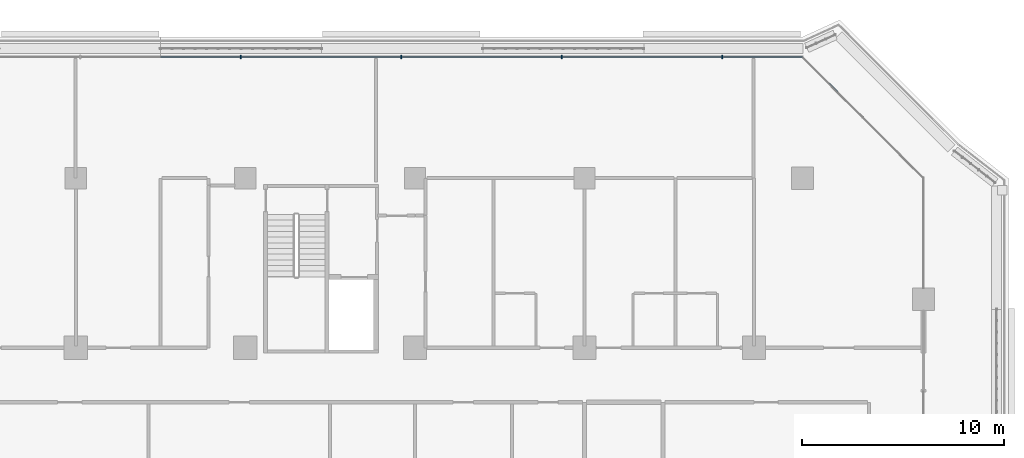
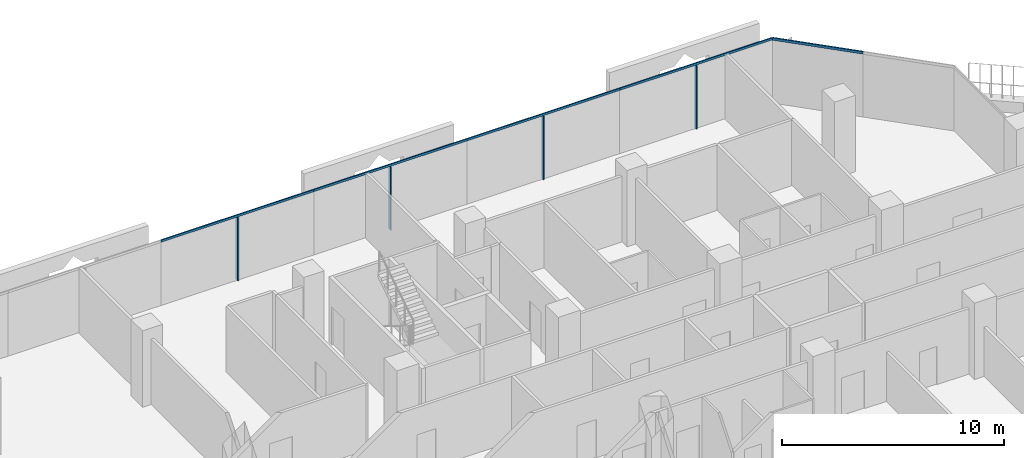
# One storey, part 9 of 25: 9 members, 2 elements without a shape of their own.
"""IFC4 building model written with IfcOpenShell, lengths in metres."""

import ifcopenshell
import ifcopenshell.guid

model = None  # the IFC model being written
_history = None  # IfcOwnerHistory: only IFC2X3 demands one
_inside = {}  # id of a spatial element -> (the spatial element, [elements in it])
_under = {}  # id of a project, library or spatial element -> (it, [spatial elements below it])
_declared = {}  # id of a project -> (the project, [libraries it declares])
_typed = {}  # id of a type object -> (the type object, [elements of that type])
_made_of = {}  # id of a material, layer set ... -> (it, [elements and type objects made of it])


def new_model(schema):
    """Start an empty IFC model of exactly this schema.

    Asked for "IFC4X3", IfcOpenShell would pick the latest addendum, in which some entities
    have other attributes; the version numbers below select the first issue.
    IFC2X3 requires an IfcOwnerHistory on every rooted entity: one is made here for all.
    """
    global model, _history
    if schema == "IFC4X3":
        model = ifcopenshell.file(schema_version=(4, 3, 0, 0))
    else:
        model = ifcopenshell.file(schema=schema)
    _inside.clear()
    _under.clear()
    _declared.clear()
    _typed.clear()
    _made_of.clear()
    _history = None
    if model.schema == "IFC2X3":
        org = make("IfcOrganization", Name="unknown")
        user = make(
            "IfcPersonAndOrganization",
            ThePerson=make("IfcPerson", FamilyName="unknown"),
            TheOrganization=org,
        )
        app = make(
            "IfcApplication",
            ApplicationDeveloper=org,
            Version="unknown",
            ApplicationFullName="unknown",
            ApplicationIdentifier="unknown",
        )
        _history = make(
            "IfcOwnerHistory",
            OwningUser=user,
            OwningApplication=app,
            ChangeAction="ADDED",
            CreationDate=0,
        )
    return model


def make(cls, **values):
    """One entity of the class cls with the attributes given. An attribute that is None is left unset."""
    return model.create_entity(
        cls, **{name: value for name, value in values.items() if value is not None}
    )


def rooted(cls, **values):
    """An entity with a GlobalId (a new one), such as an element, a storey or a relation."""
    return make(cls, GlobalId=ifcopenshell.guid.new(), OwnerHistory=_history, **values)


def si_unit(unit_type, name, prefix=None):
    """IfcSIUnit, for example si_unit("LENGTHUNIT", "METRE", prefix="MILLI")."""
    return make("IfcSIUnit", UnitType=unit_type, Prefix=prefix, Name=name)


def assignment(units):
    """IfcUnitAssignment: the units of a project."""
    return None if units is None else make("IfcUnitAssignment", Units=units)


def point(xyz):
    """IfcCartesianPoint."""
    return None if xyz is None else make("IfcCartesianPoint", Coordinates=xyz)


def direction(xyz):
    """IfcDirection."""
    return None if xyz is None else make("IfcDirection", DirectionRatios=xyz)


def frame(location, z_axis=None, x_axis=None):
    """IfcAxis2Placement3D, a coordinate frame: its origin and axes. An axis left out is left unset."""
    return make(
        "IfcAxis2Placement3D",
        Location=point(location),
        Axis=direction(z_axis),
        RefDirection=direction(x_axis),
    )


def frame_2d(location, x_axis=None):
    """IfcAxis2Placement2D, a coordinate frame in the plane: its origin and x axis."""
    return make(
        "IfcAxis2Placement2D", Location=point(location), RefDirection=direction(x_axis)
    )


def origin():
    """The frame at (0, 0, 0) with its axes left unset."""
    return frame((0.0, 0.0, 0.0))


def origin_2d():
    """The frame at (0, 0) in the plane with its x axis left unset."""
    return frame_2d((0.0, 0.0))


def place(relative_to, where):
    """IfcLocalPlacement: puts the frame where relative to a parent placement (None: the world)."""
    return make(
        "IfcLocalPlacement", PlacementRelTo=relative_to, RelativePlacement=where
    )


def context(
    kind, dimensions, precision=None, world=None, true_north=None, identifier=None
):
    """IfcGeometricRepresentationContext, for example the 3D "Model" context."""
    return make(
        "IfcGeometricRepresentationContext",
        ContextIdentifier=identifier,
        ContextType=kind,
        CoordinateSpaceDimension=dimensions,
        Precision=precision,
        WorldCoordinateSystem=world,
        TrueNorth=true_north,
    )


def subcontext(parent, identifier, kind, view, scale=None):
    """IfcGeometricRepresentationSubContext, for example "Body" below "Model"."""
    return make(
        "IfcGeometricRepresentationSubContext",
        ContextIdentifier=identifier,
        ContextType=kind,
        ParentContext=parent,
        TargetScale=scale,
        TargetView=view,
    )


def project(units=None, contexts=None):
    """IfcProject with its units and contexts."""
    return rooted(
        "IfcProject",
        Name="project",
        RepresentationContexts=contexts,
        UnitsInContext=assignment(units),
    )


def spatial(cls, under=None, at=None, **own):
    """A site, building, storey or space (cls), placed at a placement, below another one or the project."""
    s = rooted(cls, ObjectPlacement=at, **own)
    if under is not None:
        _under.setdefault(under.id(), (under, []))[1].append(s)
    return s


def profile(cls, at=None, kind="AREA", **sizes):
    """A parametric profile (cls). Its sizes go by their IFC names, for example OverallWidth=200.0."""
    return make(cls, ProfileType=kind, Position=at, **sizes)


def rectangle(**sizes):
    """IfcRectangleProfileDef."""
    return profile("IfcRectangleProfileDef", **sizes)


def extrude(swept, where, along, depth):
    """IfcExtrudedAreaSolid: the profile swept, set in the frame where, extruded along a direction by depth."""
    return make(
        "IfcExtrudedAreaSolid",
        SweptArea=swept,
        Position=where,
        ExtrudedDirection=direction(along),
        Depth=depth,
    )


def shape(context_of_items, identifier, shape_type, items):
    """IfcShapeRepresentation: the items that make up one representation, for example the "Body"."""
    return make(
        "IfcShapeRepresentation",
        ContextOfItems=context_of_items,
        RepresentationIdentifier=identifier,
        RepresentationType=shape_type,
        Items=items,
    )


def material(Name=None, Category=None):
    """IfcMaterial."""
    return make("IfcMaterial", Name=Name, Category=Category)


def layer(
    of_material, thickness, ventilated=None, Name=None, Category=None, Priority=None
):
    """IfcMaterialLayer: one layer of a wall or slab, of a material (None: an air gap)."""
    return make(
        "IfcMaterialLayer",
        Material=of_material,
        LayerThickness=thickness,
        IsVentilated=ventilated,
        Name=Name,
        Category=Category,
        Priority=Priority,
    )


def layer_set(layers, Name=None):
    """IfcMaterialLayerSet."""
    return make("IfcMaterialLayerSet", MaterialLayers=layers, LayerSetName=Name)


def material_profile(
    of_material, cross_section, Name=None, Category=None, Priority=None
):
    """IfcMaterialProfile: a cross section and its material."""
    return make(
        "IfcMaterialProfile",
        Name=Name,
        Material=of_material,
        Profile=cross_section,
        Priority=Priority,
        Category=Category,
    )


def profile_set(profiles, Name=None, composite=None):
    """IfcMaterialProfileSet."""
    return make(
        "IfcMaterialProfileSet",
        Name=Name,
        MaterialProfiles=profiles,
        CompositeProfile=composite,
    )


def made_of(thing, what):
    """Note that an element or type object is made of a material, layer set ...; save() writes the relation."""
    if what is not None:
        _made_of.setdefault(what.id(), (what, []))[1].append(thing)
    return thing


def type_object(cls, material=None, **own):
    """A type object (cls), such as IfcWallType, which elements share."""
    return made_of(rooted(cls, **own), material)


def element(
    cls,
    number,
    at=None,
    inside=None,
    cuts=None,
    type_object=None,
    material=None,
    context=None,
    identifier="Body",
    shape_type=None,
    held_by="IfcProductDefinitionShape",
    body=None,
    shapes=None,
    **own,
):
    """One element of the class cls, such as IfcWall. Its Tag is "e" and its number.

    at: its placement. inside: the storey or other place that contains it. cuts: it is an
    opening in that element (IfcRelVoidsElement). A single representation is given by context,
    identifier, shape_type and body (its items); several are given by shapes. held_by: the class
    of the entity that holds the representations. save() writes the other relations.
    """
    e = rooted(cls, Tag="e%d" % number, ObjectPlacement=at, **own)
    if body is not None:
        shapes = [shape(context, identifier, shape_type, body)]
    if shapes is not None:
        e.Representation = make(held_by, Representations=shapes)
    if inside is not None:
        _inside.setdefault(inside.id(), (inside, []))[1].append(e)
    if cuts is not None:
        rooted(
            "IfcRelVoidsElement", RelatingBuildingElement=cuts, RelatedOpeningElement=e
        )
    if type_object is not None:
        _typed.setdefault(type_object.id(), (type_object, []))[1].append(e)
    return made_of(e, material)


def aggregate(whole, parts):
    """IfcRelAggregates: a whole, such as a stair, and the parts it consists of."""
    return rooted("IfcRelAggregates", RelatingObject=whole, RelatedObjects=parts)


def save(model, path):
    """Write the relations noted so far, then the file.

    IfcRelAggregates (storeys below a building ...), IfcRelContainedInSpatialStructure (elements
    in a storey), IfcRelDefinesByType, IfcRelAssociatesMaterial and IfcRelDeclares: one each for
    every whole, place, type object, material and project.
    """
    for whole, parts in _under.values():
        aggregate(whole, parts)
    for where, things in _inside.values():
        rooted(
            "IfcRelContainedInSpatialStructure",
            RelatedElements=things,
            RelatingStructure=where,
        )
    for kind, things in _typed.values():
        rooted("IfcRelDefinesByType", RelatedObjects=things, RelatingType=kind)
    for what, things in _made_of.values():
        rooted("IfcRelAssociatesMaterial", RelatedObjects=things, RelatingMaterial=what)
    for by, libraries in _declared.values():
        rooted("IfcRelDeclares", RelatingContext=by, RelatedDefinitions=libraries)
    model.write(path)


model = new_model("IFC4")

# Units and contexts
model_context = context("Model", 3, precision=1e-05, world=origin(), true_north=direction((0.0, 1.0)))
body_context = subcontext(model_context, "Body", "Model", "MODEL_VIEW")
ifc_project = project(units=[si_unit("LENGTHUNIT", "METRE"), si_unit("AREAUNIT", "SQUARE_METRE"), si_unit("VOLUMEUNIT", "CUBIC_METRE"), si_unit("PLANEANGLEUNIT", "RADIAN"), si_unit("MASSUNIT", "GRAM", prefix="KILO")], contexts=[model_context])

# Site, building, storey
site_placement = place(None, origin())
site = spatial("IfcSite", under=ifc_project, at=site_placement, CompositionType="ELEMENT")
building_placement = place(site_placement, origin())
building = spatial("IfcBuilding", under=site, at=building_placement, Name="Kawkab Arch Medical Tower", CompositionType="ELEMENT")
storey_placement = place(building_placement, frame((0.0, 0.0, 145.0)))
storey = spatial("IfcBuildingStorey", under=building, at=storey_placement, Name="L33", CompositionType="ELEMENT", Elevation=145.0)

# Curtain wall, members
ifc_material_1 = material(Name="Bronze anodised aluminium curtain wall frame", Category="aluminium")
ifc_layer_1 = layer(ifc_material_1, 0.159912109375)
ifc_layer_set_1 = layer_set([ifc_layer_1], Name="Bronze anodised aluminium curtain wall frame")
curtain_wall_type_1 = type_object("IfcCurtainWallType", Name="CW1 ward curtain wall", PredefinedType="NOTDEFINED", material=ifc_layer_set_1)
placement = place(storey_placement, origin())
curtain_wall_1 = element("IfcCurtainWall", 1, at=placement, inside=storey, type_object=curtain_wall_type_1, Name="CW1 Ward curtain wall R11", PredefinedType="NOTDEFINED")
ifc_material_2 = material(Name="Bronze anodised aluminium curtain wall frame", Category="aluminium")
ifc_material_profile_1 = material_profile(ifc_material_2, rectangle(XDim=0.179931640625, YDim=0.06005859375, at=origin_2d()), Name="AL 60x180")
ifc_profile_set_1 = profile_set([ifc_material_profile_1], Name="Bronze anodised aluminium curtain wall frame")
member_type_1 = type_object("IfcMemberType", Name="CW1 mullion 60 x 180", PredefinedType="MULLION", material=ifc_profile_set_1)
member_1_placement = place(storey_placement, frame((65.625, 6.0, 0.0), z_axis=(0.0, 0.0, 1.0), x_axis=(0.0, -1.0, 0.0)))
member_1 = element("IfcMember", 2, at=member_1_placement, type_object=member_type_1, Name="CW1 mullion 1.1", PredefinedType="MULLION", context=body_context, shape_type="SweptSolid", body=[
    extrude(rectangle(XDim=0.179931640625, YDim=0.06005859375, at=origin_2d()), origin(), (0.0, 0.0, 1.0), 3.47998046875),
])
member_2_placement = place(storey_placement, frame((57.675048828125, 6.0, 0.0), z_axis=(0.0, 0.0, 1.0), x_axis=(0.0, -1.0, 0.0)))
member_2 = element("IfcMember", 3, at=member_2_placement, type_object=member_type_1, Name="CW1 mullion 2.1", PredefinedType="MULLION", context=body_context, shape_type="SweptSolid", body=[
    extrude(rectangle(XDim=0.179931640625, YDim=0.06005859375, at=origin_2d()), origin(), (0.0, 0.0, 1.0), 3.47998046875),
])
member_3_placement = place(storey_placement, frame((49.72509765625, 6.0, 0.0), z_axis=(0.0, 0.0, 1.0), x_axis=(0.0, -1.0, 0.0)))
member_3 = element("IfcMember", 4, at=member_3_placement, type_object=member_type_1, Name="CW1 mullion 3.1", PredefinedType="MULLION", context=body_context, shape_type="SweptSolid", body=[
    extrude(rectangle(XDim=0.179931640625, YDim=0.06005859375, at=origin_2d()), origin(), (0.0, 0.0, 1.0), 3.47998046875),
])
member_4_placement = place(storey_placement, frame((41.77490234375, 6.0, 0.0), z_axis=(0.0, 0.0, 1.0), x_axis=(0.0, -1.0, 0.0)))
member_4 = element("IfcMember", 5, at=member_4_placement, type_object=member_type_1, Name="CW1 mullion 4.1", PredefinedType="MULLION", context=body_context, shape_type="SweptSolid", body=[
    extrude(rectangle(XDim=0.179931640625, YDim=0.06005859375, at=origin_2d()), origin(), (0.0, 0.0, 1.0), 3.47998046875),
])
ifc_material_3 = material(Name="Bronze anodised aluminium curtain wall frame", Category="aluminium")
ifc_material_profile_2 = material_profile(ifc_material_3, rectangle(XDim=0.06005859375, YDim=0.1201171875, at=origin_2d()), Name="AL 60x120")
ifc_profile_set_2 = profile_set([ifc_material_profile_2], Name="Bronze anodised aluminium curtain wall frame")
member_type_2 = type_object("IfcMemberType", Name="CW1 transom 120 x 60", PredefinedType="USERDEFINED", material=ifc_profile_set_2)
member_5_placement = place(storey_placement, frame((69.60009765625, 6.0, 3.5400390625), z_axis=(-1.0, 0.0, 0.0), x_axis=(0.0, -1.0, 0.0)))
member_5 = element("IfcMember", 6, at=member_5_placement, type_object=member_type_2, Name="CW1 transom 1", ObjectType="TRANSOM", PredefinedType="USERDEFINED", context=body_context, shape_type="SweptSolid", body=[
    extrude(rectangle(XDim=0.06005859375, YDim=0.1201171875, at=origin_2d()), origin(), (0.0, 0.0, 1.0), 7.9501953125),
])
member_6_placement = place(storey_placement, frame((61.64990234375, 6.0, 3.5400390625), z_axis=(-1.0, 0.0, 0.0), x_axis=(0.0, -1.0, 0.0)))
member_6 = element("IfcMember", 7, at=member_6_placement, type_object=member_type_2, Name="CW1 transom 2", ObjectType="TRANSOM", PredefinedType="USERDEFINED", context=body_context, shape_type="SweptSolid", body=[
    extrude(rectangle(XDim=0.06005859375, YDim=0.1201171875, at=origin_2d()), origin(), (0.0, 0.0, 1.0), 7.949951171875),
])
member_7_placement = place(storey_placement, frame((53.699951171875, 6.0, 3.5400390625), z_axis=(-1.0, 0.0, 0.0), x_axis=(0.0, -1.0, 0.0)))
member_7 = element("IfcMember", 8, at=member_7_placement, type_object=member_type_2, Name="CW1 transom 3", ObjectType="TRANSOM", PredefinedType="USERDEFINED", context=body_context, shape_type="SweptSolid", body=[
    extrude(rectangle(XDim=0.06005859375, YDim=0.1201171875, at=origin_2d()), origin(), (0.0, 0.0, 1.0), 7.949951171875),
])
member_8_placement = place(storey_placement, frame((45.75, 6.0, 3.5400390625), z_axis=(-1.0, 0.0, 0.0), x_axis=(0.0, -1.0, 0.0)))
member_8 = element("IfcMember", 9, at=member_8_placement, type_object=member_type_2, Name="CW1 transom 4", ObjectType="TRANSOM", PredefinedType="USERDEFINED", context=body_context, shape_type="SweptSolid", body=[
    extrude(rectangle(XDim=0.06005859375, YDim=0.1201171875, at=origin_2d()), origin(), (0.0, 0.0, 1.0), 7.949951171875),
])
aggregate(curtain_wall_1, [member_5, member_1, member_6, member_2, member_7, member_3, member_8, member_4])

# Curtain wall, member
ifc_material_4 = material(Name="Bronze anodised aluminium curtain wall frame", Category="aluminium")
ifc_layer_2 = layer(ifc_material_4, 0.159912109375)
ifc_layer_set_2 = layer_set([ifc_layer_2], Name="Bronze anodised aluminium curtain wall frame")
curtain_wall_type_2 = type_object("IfcCurtainWallType", Name="CW2 chamfer curtain wall", PredefinedType="NOTDEFINED", material=ifc_layer_set_2)
curtain_wall_2 = element("IfcCurtainWall", 10, at=placement, inside=storey, type_object=curtain_wall_type_2, Name="CW2 Chamfer curtain wall R10", PredefinedType="NOTDEFINED")
ifc_material_5 = material(Name="Bronze anodised aluminium curtain wall frame", Category="aluminium")
ifc_material_profile_3 = material_profile(ifc_material_5, rectangle(XDim=0.06005859375, YDim=0.139892578125, at=origin_2d()), Name="AL 60x140")
ifc_profile_set_3 = profile_set([ifc_material_profile_3], Name="Bronze anodised aluminium curtain wall frame")
member_type_3 = type_object("IfcMemberType", Name="CW2 transom 140 x 60", PredefinedType="USERDEFINED", material=ifc_profile_set_3)
member_9_placement = place(storey_placement, frame((72.60009765625, 3.0, 3.530029296875), z_axis=(-0.707106781187, 0.707106781187, 0.0), x_axis=(-0.707106781187, -0.707106781187, 0.0)))
member_9 = element("IfcMember", 11, at=member_9_placement, type_object=member_type_3, Name="CW2 transom 2", ObjectType="TRANSOM", PredefinedType="USERDEFINED", context=body_context, shape_type="SweptSolid", body=[
    extrude(rectangle(XDim=0.06005859375, YDim=0.139892578125, at=origin_2d()), origin(), (0.0, 0.0, 1.0), 4.24267578125),
])
aggregate(curtain_wall_2, [member_9])

save(model, "model.ifc")
